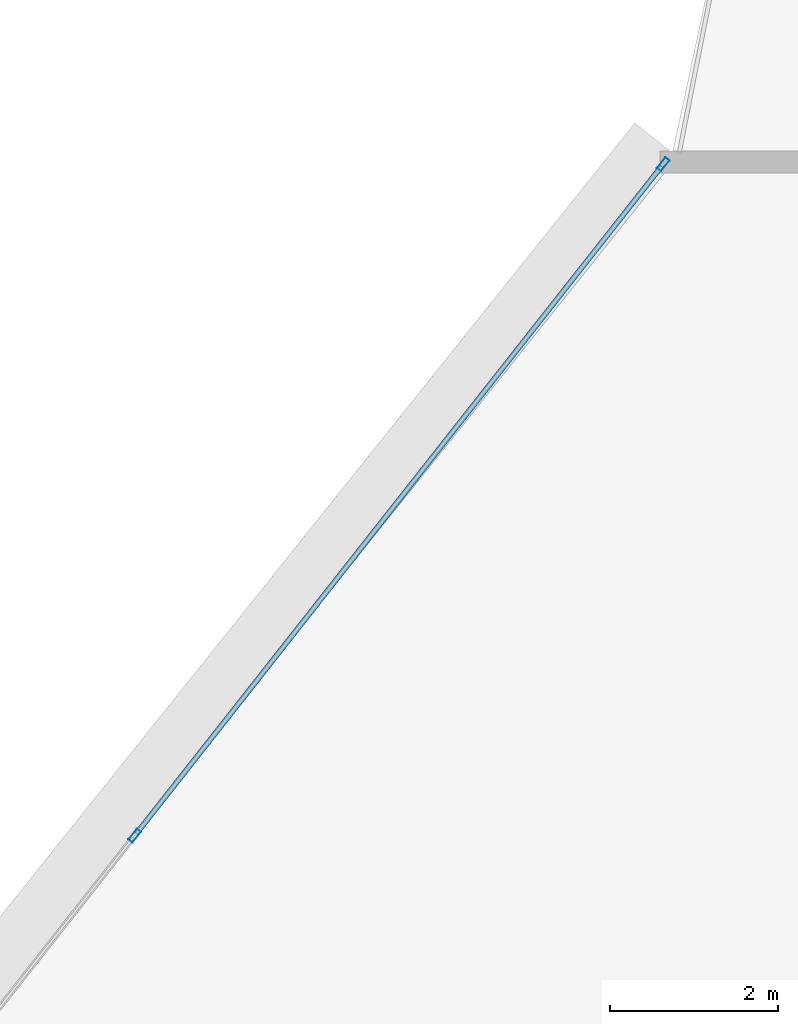
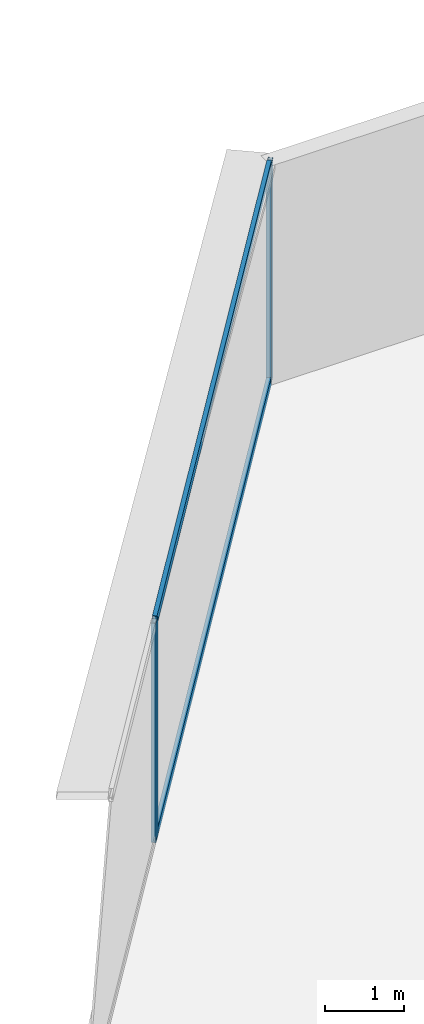
# One storey, part 25 of 38: 4 members, 1 element without a shape of its own.
"""IFC4 building model written with IfcOpenShell, lengths in metres."""

from ifc_helpers import new_model, si_unit, direction, frame, origin, origin_2d, place, context, subcontext, project, spatial, hollow_rectangle, extrude, source, transform, mapped, material, layer, layer_set, material_profile, profile_set, type_object, element, aggregate, save


model = new_model("IFC4")

# Units and contexts
model_context = context("Model", 3, precision=1e-05, world=origin(), true_north=direction((0.0, 1.0)))
body_context = subcontext(model_context, "Body", "Model", "MODEL_VIEW")
ifc_project = project(units=[si_unit("LENGTHUNIT", "METRE"), si_unit("AREAUNIT", "SQUARE_METRE"), si_unit("VOLUMEUNIT", "CUBIC_METRE"), si_unit("PLANEANGLEUNIT", "RADIAN"), si_unit("MASSUNIT", "GRAM", prefix="KILO"), si_unit("THERMODYNAMICTEMPERATUREUNIT", "KELVIN"), si_unit("POWERUNIT", "WATT")], contexts=[model_context])

# Site, building, storey
site_placement = place(None, origin())
site = spatial("IfcSite", under=ifc_project, at=site_placement, CompositionType="ELEMENT")
building_placement = place(site_placement, origin())
building = spatial("IfcBuilding", under=site, at=building_placement, Name="Yunzhuo Pagoda Commons", CompositionType="ELEMENT")
storey_placement = place(building_placement, frame((0.0, 0.0, 30.39990234375)))
storey = spatial("IfcBuildingStorey", under=building, at=storey_placement, Name="L07", CompositionType="ELEMENT", Elevation=30.39990234375)

# Curtain wall, members
ifc_material = material(Name="Anodized aluminium 6063-T6", Category="aluminium")
ifc_layer = layer(ifc_material, 0.1650390625)
ifc_layer_set = layer_set([ifc_layer], Name="Anodized aluminium 6063-T6")
curtain_wall_type = type_object("IfcCurtainWallType", Name="CW-LOW Low-Zone Ribbon Curtain Wall", PredefinedType="NOTDEFINED", material=ifc_layer_set)
curtain_wall_placement = place(storey_placement, origin())
curtain_wall = element("IfcCurtainWall", 1, at=curtain_wall_placement, inside=storey, type_object=curtain_wall_type, Name="L07 curtain wall CW-L07-F3B1", PredefinedType="NOTDEFINED")
ifc_material_profile_1 = material_profile(ifc_material, hollow_rectangle(XDim=0.06494140625, YDim=0.1650390625, WallThickness=0.00390625, at=origin_2d()), Name="Anodized aluminium 6063-T6")
ifc_profile_set_1 = profile_set([ifc_material_profile_1], Name="Anodized aluminium 6063-T6")
member_type_1 = type_object("IfcMemberType", Name="CW-LOW-M Mullion RHS 165x65x4", PredefinedType="MULLION", material=ifc_profile_set_1)
shared_shape_1 = source(origin(), body_context, "Body", "SweptSolid", [
    extrude(hollow_rectangle(XDim=0.06494140625, YDim=0.1650390625, WallThickness=0.00390625, at=origin_2d()), origin(), (0.0, 0.0, 1.0), 3.370361328125),
])
member_1_placement = place(storey_placement, frame((43.22119140625, 88.955322265625, 0.0), z_axis=(0.0, 0.0, 1.0), x_axis=(0.785799632369, -0.618481153932, 0.0)))
member_1 = element("IfcMember", 2, at=member_1_placement, type_object=member_type_1, Name="CW mullion 1", PredefinedType="MULLION", context=body_context, shape_type="MappedRepresentation", body=[
    mapped(shared_shape_1, transform((0.0, 0.0, 0.0), scale=1.0)),
])
member_2_placement = place(storey_placement, frame((36.92431640625, 80.95458984375, 0.0), z_axis=(0.0, 0.0, 1.0), x_axis=(0.785799632369, -0.618481153932, 0.0)))
member_2 = element("IfcMember", 3, at=member_2_placement, type_object=member_type_1, Name="CW mullion 2", PredefinedType="MULLION", context=body_context, shape_type="MappedRepresentation", body=[
    mapped(shared_shape_1, transform((0.0, 0.0, 0.0), scale=1.0)),
])
ifc_material_profile_2 = material_profile(ifc_material, hollow_rectangle(XDim=0.06005859375, YDim=0.139892578125, WallThickness=0.00341796875, at=origin_2d()), Name="Anodized aluminium 6063-T6")
ifc_profile_set_2 = profile_set([ifc_material_profile_2], Name="Anodized aluminium 6063-T6")
member_type_2 = type_object("IfcMemberType", Name="CW-LOW-T Transom RHS 140x60x3.5", PredefinedType="USERDEFINED", material=ifc_profile_set_2)
shared_shape_2 = source(origin(), body_context, "Body", "SweptSolid", [
    extrude(hollow_rectangle(XDim=0.06005859375, YDim=0.139892578125, WallThickness=0.00341796875, at=origin_2d()), origin(), (0.0, 0.0, 1.0), 10.11669921875),
])
member_3_placement = place(storey_placement, frame((43.201171875, 88.929931640625, 0.030029296875), z_axis=(-0.618471475788, -0.785807249672, 0.0), x_axis=(0.785807249672, -0.618471475788, 0.0)))
member_3 = element("IfcMember", 4, at=member_3_placement, type_object=member_type_2, Name="CW transom 1.1", ObjectType="TRANSOM", PredefinedType="USERDEFINED", context=body_context, shape_type="MappedRepresentation", body=[
    mapped(shared_shape_2, transform((0.0, 0.0, 0.0), scale=1.0)),
])
member_4_placement = place(storey_placement, frame((43.201171875, 88.929931640625, 3.340087890625), z_axis=(-0.618471475788, -0.785807249672, 0.0), x_axis=(0.785807249672, -0.618471475788, 0.0)))
member_4 = element("IfcMember", 5, at=member_4_placement, type_object=member_type_2, Name="CW transom 1.2", ObjectType="TRANSOM", PredefinedType="USERDEFINED", context=body_context, shape_type="MappedRepresentation", body=[
    mapped(shared_shape_2, transform((0.0, 0.0, 0.0), scale=1.0)),
])
aggregate(curtain_wall, [member_1, member_2, member_3, member_4])

save(model, "model.ifc")
